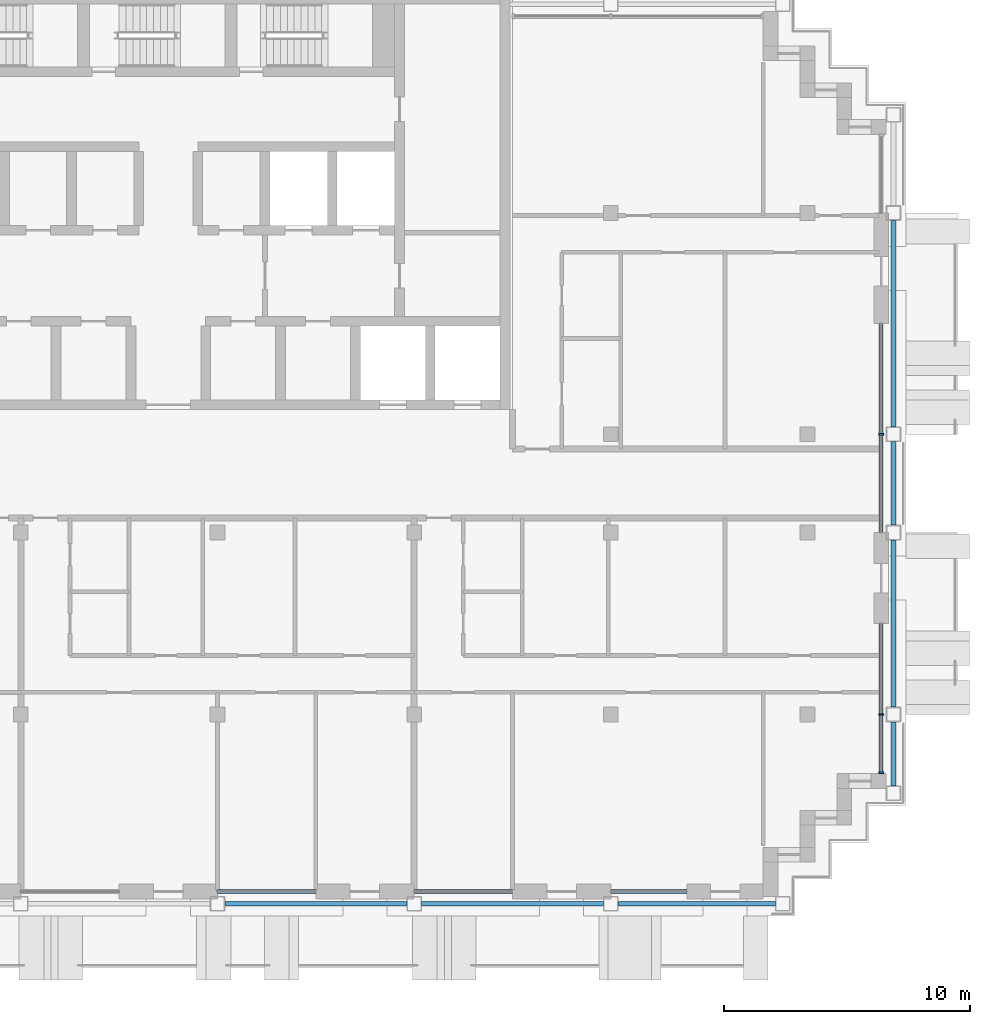
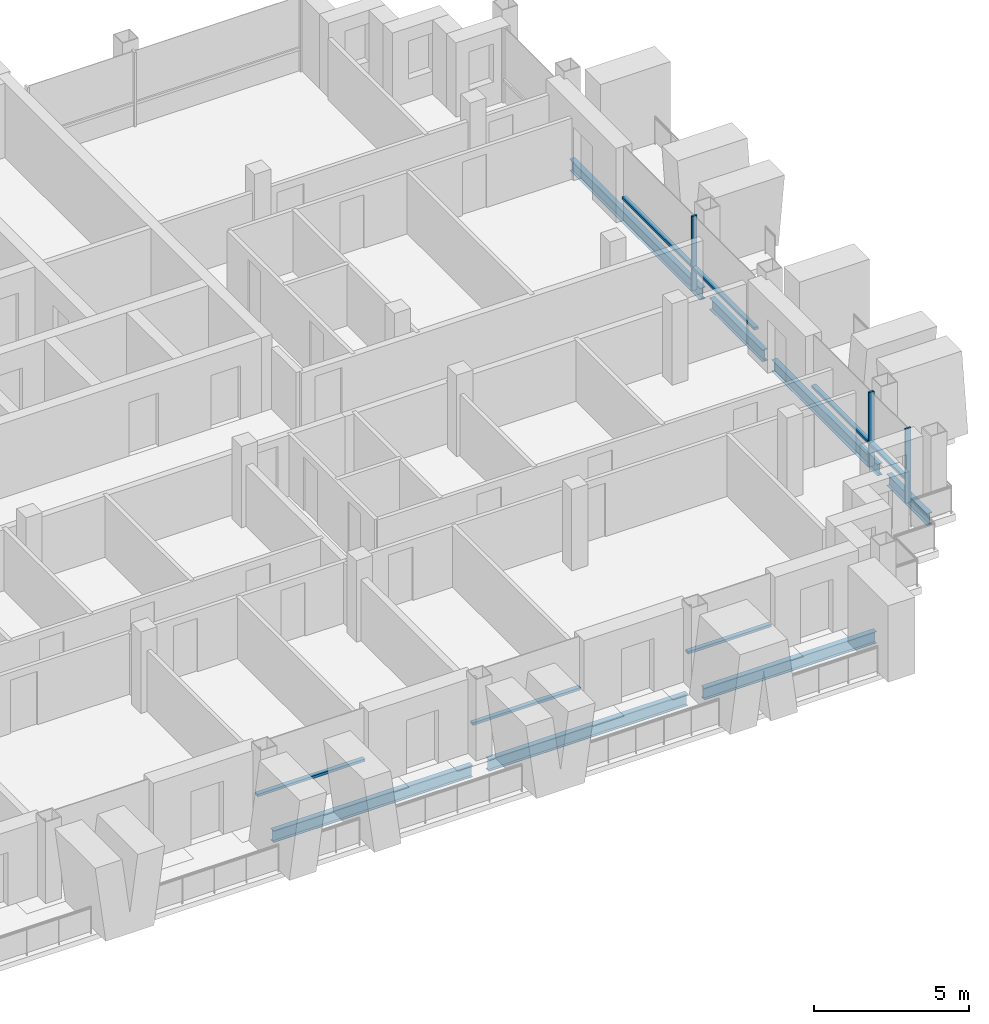
# One storey, part 3 of 15: 10 members, 7 beams, 5 elements without a shape of their own.
"""IFC4 building model written with IfcOpenShell, lengths in metres."""

from ifc_helpers import new_model, si_unit, direction, frame, origin, origin_2d, place, context, subcontext, project, spatial, rectangle, i_section, extrude, material, material_profile, profile_set, type_object, element, aggregate, save


model = new_model("IFC4")

# Units and contexts
model_context = context("Model", 3, precision=1e-05, world=origin(), true_north=direction((0.0, 1.0)))
body_context = subcontext(model_context, "Body", "Model", "MODEL_VIEW")
ifc_project = project(units=[si_unit("LENGTHUNIT", "METRE"), si_unit("AREAUNIT", "SQUARE_METRE"), si_unit("VOLUMEUNIT", "CUBIC_METRE"), si_unit("PLANEANGLEUNIT", "RADIAN"), si_unit("MASSUNIT", "GRAM", prefix="KILO")], contexts=[model_context])

# Site, building, storey
site_placement = place(None, origin())
site = spatial("IfcSite", under=ifc_project, at=site_placement, CompositionType="ELEMENT")
building_placement = place(site_placement, origin())
building = spatial("IfcBuilding", under=site, at=building_placement, Name="Vidyagriha Tower", CompositionType="ELEMENT")
storey_placement = place(building_placement, frame((0.0, 0.0, 226.800048828125)))
storey = spatial("IfcBuildingStorey", under=building, at=storey_placement, Name="L59", CompositionType="ELEMENT", Elevation=226.800048828125)

# Beams
ifc_material_1 = material(Name="Steel ASTM A992 Grade 50", Category="steel")
ifc_material_profile_1 = material_profile(ifc_material_1, i_section(OverallWidth=0.19189453125, OverallDepth=0.46240234375, WebThickness=0.010498046875, FlangeThickness=0.017578125, at=origin_2d()), Name="W18X60")
ifc_profile_set_1 = profile_set([ifc_material_profile_1], Name="Steel ASTM A992 Grade 50")
beam_type = type_object("IfcBeamType", Name="Edge beam W18X60", PredefinedType="SPANDREL", material=ifc_profile_set_1)
for number, where, z_axis, x_axis, name in (
    (1, (2.300048828125, -17.10009765625, -0.51123046875), (1.0, 0.0, 0.0), (0.0, 1.0, 0.0), "st-beam-L59-S05"),
    (2, (10.300048828125, -17.10009765625, -0.51123046875), (1.0, 0.0, 0.0), (0.0, 1.0, 0.0), "st-beam-L59-S06"),
):
    element("IfcBeam", number, at=place(storey_placement, frame(where, z_axis=z_axis, x_axis=x_axis)), inside=storey, type_object=beam_type, Name=name, PredefinedType="SPANDREL", context=body_context, shape_type="SweptSolid", body=[
        extrude(i_section(OverallWidth=0.19189453125, OverallDepth=0.46240234375, WebThickness=0.010498046875, FlangeThickness=0.017578125, at=origin_2d()), origin(), (0.0, 0.0, 1.0), 7.39990234375),
    ])
beam_1_placement = place(storey_placement, frame((18.300048828125, -17.10009765625, -0.51123046875), z_axis=(1.0, 0.0, 0.0), x_axis=(0.0, 1.0, 0.0)))
element("IfcBeam", 3, at=beam_1_placement, inside=storey, type_object=beam_type, Name="st-beam-L59-S07", PredefinedType="SPANDREL", context=body_context, shape_type="SweptSolid", body=[
    extrude(i_section(OverallWidth=0.19189453125, OverallDepth=0.46240234375, WebThickness=0.010498046875, FlangeThickness=0.017578125, at=origin_2d()), origin(), (0.0, 0.0, 1.0), 6.39990234375),
])
beam_2_placement = place(storey_placement, frame((29.5, -12.300048828125, -0.51123046875), z_axis=(0.0, 1.0, 0.0), x_axis=(-1.0, 0.0, 0.0)))
element("IfcBeam", 4, at=beam_2_placement, inside=storey, type_object=beam_type, Name="st-beam-L59-E13", PredefinedType="SPANDREL", context=body_context, shape_type="SweptSolid", body=[
    extrude(i_section(OverallWidth=0.19189453125, OverallDepth=0.46240234375, WebThickness=0.010498046875, FlangeThickness=0.017578125, at=origin_2d()), origin(), (0.0, 0.0, 1.0), 2.60009765625),
])
beam_3_placement = place(storey_placement, frame((29.5, -9.10009765625, -0.51123046875), z_axis=(0.0, 1.0, 0.0), x_axis=(-1.0, 0.0, 0.0)))
element("IfcBeam", 5, at=beam_3_placement, inside=storey, type_object=beam_type, Name="st-beam-L59-E14", PredefinedType="SPANDREL", context=body_context, shape_type="SweptSolid", body=[
    extrude(i_section(OverallWidth=0.19189453125, OverallDepth=0.46240234375, WebThickness=0.010498046875, FlangeThickness=0.017578125, at=origin_2d()), origin(), (0.0, 0.0, 1.0), 6.800048828125),
])
beam_4_placement = place(storey_placement, frame((29.5, -1.699951171875, -0.51123046875), z_axis=(0.0, 1.0, 0.0), x_axis=(-1.0, 0.0, 0.0)))
element("IfcBeam", 6, at=beam_4_placement, inside=storey, type_object=beam_type, Name="st-beam-L59-E15", PredefinedType="SPANDREL", context=body_context, shape_type="SweptSolid", body=[
    extrude(i_section(OverallWidth=0.19189453125, OverallDepth=0.46240234375, WebThickness=0.010498046875, FlangeThickness=0.017578125, at=origin_2d()), origin(), (0.0, 0.0, 1.0), 3.39990234375),
])
beam_5_placement = place(storey_placement, frame((29.5, 2.300048828125, -0.51123046875), z_axis=(0.0, 1.0, 0.0), x_axis=(-1.0, 0.0, 0.0)))
element("IfcBeam", 7, at=beam_5_placement, inside=storey, type_object=beam_type, Name="st-beam-L59-E16", PredefinedType="SPANDREL", context=body_context, shape_type="SweptSolid", body=[
    extrude(i_section(OverallWidth=0.19189453125, OverallDepth=0.46240234375, WebThickness=0.010498046875, FlangeThickness=0.017578125, at=origin_2d()), origin(), (0.0, 0.0, 1.0), 8.39990234375),
])

# Curtain wall, members
ifc_material_2 = material(Name="Aluminium and glass curtain wall", Category="aluminium")
curtain_wall_type = type_object("IfcCurtainWallType", Name="Dwelling skin unitised curtain wall", PredefinedType="USERDEFINED", material=ifc_material_2)
curtain_wall_1_placement = place(storey_placement, origin())
curtain_wall_1 = element("IfcCurtainWall", 8, at=curtain_wall_1_placement, inside=storey, type_object=curtain_wall_type, Name="CW1 dwelling skin", ObjectType="UNITISED", PredefinedType="USERDEFINED")
ifc_material_3 = material(Name="Aluminium black anodised", Category="aluminium")
ifc_material_profile_2 = material_profile(ifc_material_3, rectangle(XDim=0.199951171875, YDim=0.070068359375, at=origin_2d()), Name="Mullion 70x200 black aluminium")
ifc_profile_set_2 = profile_set([ifc_material_profile_2], Name="Aluminium black anodised")
member_type_1 = type_object("IfcMemberType", Name="Mullion 70x200 black aluminium", PredefinedType="MULLION", material=ifc_profile_set_2)
member_1_placement = place(storey_placement, frame((29.0, -11.764892578125, 0.0), z_axis=(0.0, 0.0, 1.0), x_axis=(-1.0, 0.0, 0.0)))
member_1 = element("IfcMember", 9, at=member_1_placement, type_object=member_type_1, Name="CW1 mullion 1", PredefinedType="MULLION", context=body_context, shape_type="SweptSolid", body=[
    extrude(rectangle(XDim=0.199951171875, YDim=0.070068359375, at=origin_2d()), origin(), (0.0, 0.0, 1.0), 2.919921875),
])
member_2_placement = place(storey_placement, frame((29.0, -9.39990234375, 0.0), z_axis=(0.0, 0.0, 1.0), x_axis=(-1.0, 0.0, 0.0)))
member_2 = element("IfcMember", 10, at=member_2_placement, type_object=member_type_1, Name="CW1 mullion 2", PredefinedType="MULLION", context=body_context, shape_type="SweptSolid", body=[
    extrude(rectangle(XDim=0.199951171875, YDim=0.070068359375, at=origin_2d()), origin(), (0.0, 0.0, 1.0), 2.919921875),
])

# Curtain wall, member
curtain_wall_2_placement = place(storey_placement, origin())
curtain_wall_2 = element("IfcCurtainWall", 11, at=curtain_wall_2_placement, inside=storey, type_object=curtain_wall_type, Name="CW1 dwelling skin", ObjectType="UNITISED", PredefinedType="USERDEFINED")
member_3_placement = place(storey_placement, frame((29.0, 2.0, 0.0), z_axis=(0.0, 0.0, 1.0), x_axis=(-1.0, 0.0, 0.0)))
member_3 = element("IfcMember", 12, at=member_3_placement, type_object=member_type_1, Name="CW1 mullion 2", PredefinedType="MULLION", context=body_context, shape_type="SweptSolid", body=[
    extrude(rectangle(XDim=0.199951171875, YDim=0.070068359375, at=origin_2d()), origin(), (0.0, 0.0, 1.0), 2.919921875),
])

curtain_wall_3_placement = place(storey_placement, origin())
curtain_wall_3 = element("IfcCurtainWall", 13, at=curtain_wall_3_placement, inside=storey, type_object=curtain_wall_type, Name="CW1 dwelling skin", ObjectType="UNITISED", PredefinedType="USERDEFINED")
ifc_material_4 = material(Name="Aluminium black anodised", Category="aluminium")
ifc_material_profile_3 = material_profile(ifc_material_4, rectangle(XDim=0.159912109375, YDim=0.10009765625, at=origin_2d()), Name="Transom 100x160 black aluminium")
ifc_profile_set_3 = profile_set([ifc_material_profile_3], Name="Aluminium black anodised")
member_type_2 = type_object("IfcMemberType", Name="Transom 100x160 black aluminium", PredefinedType="USERDEFINED", material=ifc_profile_set_3)
member_4_placement = place(storey_placement, frame((2.0, -16.60009765625, 0.89990234375), z_axis=(1.0, 0.0, 0.0), x_axis=(0.0, 1.0, 0.0)))
member_4 = element("IfcMember", 14, at=member_4_placement, type_object=member_type_2, Name="CW1 transom 1.1", ObjectType="TRANSOM", PredefinedType="USERDEFINED", context=body_context, shape_type="SweptSolid", body=[
    extrude(rectangle(XDim=0.159912109375, YDim=0.10009765625, at=origin_2d()), origin(), (0.0, 0.0, 1.0), 4.0),
])
aggregate(curtain_wall_3, [member_4])

curtain_wall_4_placement = place(storey_placement, origin())
curtain_wall_4 = element("IfcCurtainWall", 15, at=curtain_wall_4_placement, inside=storey, type_object=curtain_wall_type, Name="CW1 dwelling skin", ObjectType="UNITISED", PredefinedType="USERDEFINED")
member_5_placement = place(storey_placement, frame((10.0, -16.60009765625, 0.89990234375), z_axis=(1.0, 0.0, 0.0), x_axis=(0.0, 1.0, 0.0)))
member_5 = element("IfcMember", 16, at=member_5_placement, type_object=member_type_2, Name="CW1 transom 1.1", ObjectType="TRANSOM", PredefinedType="USERDEFINED", context=body_context, shape_type="SweptSolid", body=[
    extrude(rectangle(XDim=0.159912109375, YDim=0.10009765625, at=origin_2d()), origin(), (0.0, 0.0, 1.0), 4.0),
])
aggregate(curtain_wall_4, [member_5])

curtain_wall_5_placement = place(storey_placement, origin())
curtain_wall_5 = element("IfcCurtainWall", 17, at=curtain_wall_5_placement, inside=storey, type_object=curtain_wall_type, Name="CW1 dwelling skin", ObjectType="UNITISED", PredefinedType="USERDEFINED")
member_6_placement = place(storey_placement, frame((18.0, -16.60009765625, 0.89990234375), z_axis=(1.0, 0.0, 0.0), x_axis=(0.0, 1.0, 0.0)))
member_6 = element("IfcMember", 18, at=member_6_placement, type_object=member_type_2, Name="CW1 transom 1.1", ObjectType="TRANSOM", PredefinedType="USERDEFINED", context=body_context, shape_type="SweptSolid", body=[
    extrude(rectangle(XDim=0.159912109375, YDim=0.10009765625, at=origin_2d()), origin(), (0.0, 0.0, 1.0), 3.10009765625),
])
aggregate(curtain_wall_5, [member_6])

# Member
member_7_placement = place(storey_placement, frame((29.0, -11.72998046875, 0.89990234375), z_axis=(0.0, 1.0, 0.0), x_axis=(-1.0, 0.0, 0.0)))
member_7 = element("IfcMember", 19, at=member_7_placement, type_object=member_type_2, Name="CW1 transom 1.1", ObjectType="TRANSOM", PredefinedType="USERDEFINED", context=body_context, shape_type="SweptSolid", body=[
    extrude(rectangle(XDim=0.159912109375, YDim=0.10009765625, at=origin_2d()), origin(), (0.0, 0.0, 1.0), 2.294921875),
])

member_8_placement = place(storey_placement, frame((29.0, -9.364990234375, 0.89990234375), z_axis=(0.0, 1.0, 0.0), x_axis=(-1.0, 0.0, 0.0)))
member_8 = element("IfcMember", 20, at=member_8_placement, type_object=member_type_2, Name="CW1 transom 2.1", ObjectType="TRANSOM", PredefinedType="USERDEFINED", context=body_context, shape_type="SweptSolid", body=[
    extrude(rectangle(XDim=0.159912109375, YDim=0.10009765625, at=origin_2d()), origin(), (0.0, 0.0, 1.0), 3.6650390625),
])

aggregate(curtain_wall_1, [member_1, member_2, member_7, member_8])

member_9_placement = place(storey_placement, frame((29.0, -2.0, 0.89990234375), z_axis=(0.0, 1.0, 0.0), x_axis=(-1.0, 0.0, 0.0)))
member_9 = element("IfcMember", 21, at=member_9_placement, type_object=member_type_2, Name="CW1 transom 1.1", ObjectType="TRANSOM", PredefinedType="USERDEFINED", context=body_context, shape_type="SweptSolid", body=[
    extrude(rectangle(XDim=0.159912109375, YDim=0.10009765625, at=origin_2d()), origin(), (0.0, 0.0, 1.0), 3.965087890625),
])

member_10_placement = place(storey_placement, frame((29.0, 2.034912109375, 0.89990234375), z_axis=(0.0, 1.0, 0.0), x_axis=(-1.0, 0.0, 0.0)))
member_10 = element("IfcMember", 22, at=member_10_placement, type_object=member_type_2, Name="CW1 transom 2.1", ObjectType="TRANSOM", PredefinedType="USERDEFINED", context=body_context, shape_type="SweptSolid", body=[
    extrude(rectangle(XDim=0.159912109375, YDim=0.10009765625, at=origin_2d()), origin(), (0.0, 0.0, 1.0), 4.465087890625),
])

aggregate(curtain_wall_2, [member_3, member_9, member_10])

save(model, "model.ifc")
